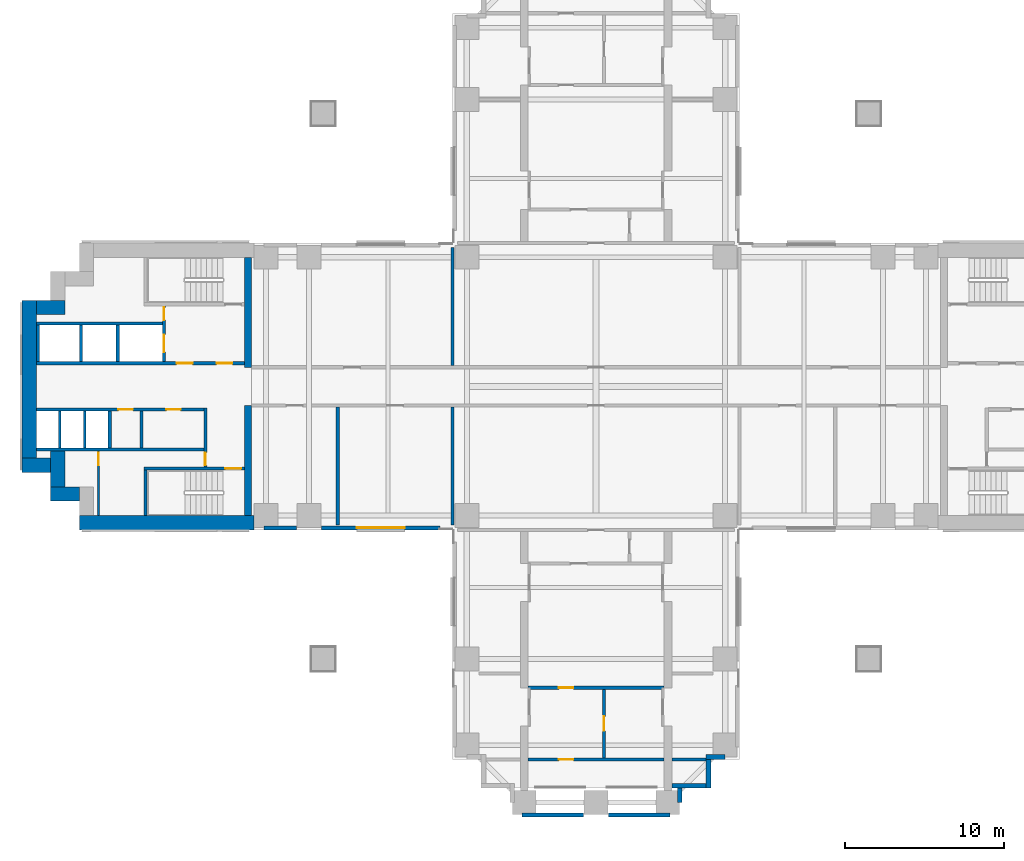
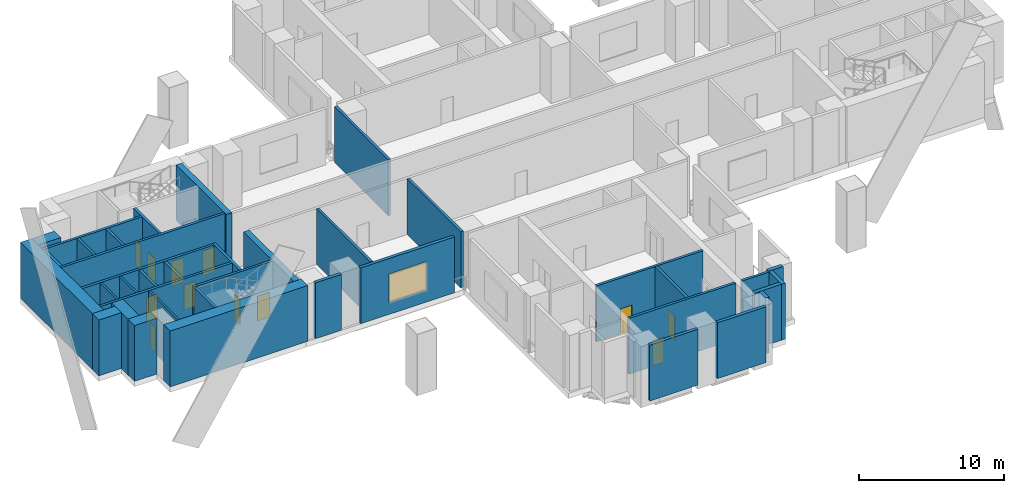
# One storey, part 3 of 10: 39 walls, 12 doors, 1 window, 13 openings.
"""IFC4 building model written with IfcOpenShell, lengths in metres."""

from ifc_helpers import new_model, si_unit, direction, frame, frame_2d, origin, place, context, subcontext, project, spatial, rectangle, extrude, material, layer, layer_set, type_object, element, fill, save


model = new_model("IFC4")

# Units and contexts
model_context = context("Model", 3, precision=1e-05, world=origin(), true_north=direction((0.0, 1.0)))
body_context = subcontext(model_context, "Body", "Model", "MODEL_VIEW")
ifc_project = project(units=[si_unit("LENGTHUNIT", "METRE"), si_unit("AREAUNIT", "SQUARE_METRE"), si_unit("VOLUMEUNIT", "CUBIC_METRE"), si_unit("PLANEANGLEUNIT", "RADIAN"), si_unit("MASSUNIT", "GRAM", prefix="KILO")], contexts=[model_context])

# Site, building, storey
site_placement = place(None, origin())
site = spatial("IfcSite", under=ifc_project, at=site_placement, CompositionType="ELEMENT")
building_placement = place(site_placement, origin())
building = spatial("IfcBuilding", under=site, at=building_placement, Name="Perihelion Cross Residences", CompositionType="ELEMENT")
storey_placement = place(building_placement, frame((0.0, 0.0, 27.0)))
storey = spatial("IfcBuildingStorey", under=building, at=storey_placement, Name="L03", CompositionType="ELEMENT", Elevation=27.0)

# Walls
ifc_material_1 = material(Name="Plasterboard partition")
ifc_layer_1 = layer(ifc_material_1, 0.199951171875)
ifc_layer_set_1 = layer_set([ifc_layer_1], Name="Apartment riser wall 200")
wall_type_1 = type_object("IfcWallType", Name="Apartment riser wall 200", PredefinedType="PARTITIONING", material=ifc_layer_set_1)
for number, where, z_axis, x_axis, name in (
    (1, (-9.0, 1.300048828125, 0.0), (0.0, 0.0, 1.0), (0.0, 1.0, 0.0), "Partition L03 W004"),
    (2, (-9.0, -8.699951171875, 0.0), (0.0, 0.0, 1.0), (0.0, 1.0, 0.0), "Partition L03 W007"),
    (3, (-16.199951171875, -8.699951171875, 0.0), (0.0, 0.0, 1.0), (0.0, 1.0, 0.0), "Partition L03 W010"),
):
    element("IfcWall", number, at=place(storey_placement, frame(where, z_axis=z_axis, x_axis=x_axis)), inside=storey, type_object=wall_type_1, Name=name, PredefinedType="PARTITIONING", context=body_context, shape_type="SweptSolid", body=[
        extrude(rectangle(XDim=7.39990234375, YDim=0.199951171875, at=frame_2d((3.699951171875, 0.0))), origin(), (0.0, 0.0, 1.0), 4.699951171875),
    ])

# Wall, opening, door
wall_1_placement = place(storey_placement, frame((4.25, -18.89990234375, 0.0), z_axis=(0.0, 0.0, 1.0), x_axis=(-1.0, 0.0, 0.0)))
wall_1 = element("IfcWall", 4, at=wall_1_placement, inside=storey, type_object=wall_type_1, Name="Partition L03 W022", PredefinedType="PARTITIONING", context=body_context, shape_type="SweptSolid", body=[
    extrude(rectangle(XDim=8.5, YDim=0.199951171875, at=frame_2d((4.25, 0.0))), origin(), (0.0, 0.0, 1.0), 4.699951171875),
])
opening_1_placement = place(wall_1_placement, frame((5.675048828125, 0.0, 0.0)))
opening_1 = element("IfcOpeningElement", 5, at=opening_1_placement, cuts=wall_1, Name="Opening L03.A18", PredefinedType="OPENING", context=body_context, shape_type="SweptSolid", body=[
    extrude(rectangle(XDim=0.89990234375, YDim=2.10009765625, at=frame_2d((0.449951171875, 1.050048828125))), frame((0.0, 0.10986328125, 0.0), z_axis=(0.0, -1.0, 0.0), x_axis=(1.0, 0.0, 0.0)), (0.0, 0.0, 1.0), 0.219970703125),
])
ifc_material_2 = material(Name="Timber door leaf", Category="wood")
door_type_1 = type_object("IfcDoorType", Name="Interior room door 900 x 2100", OperationType="SINGLE_SWING_LEFT", PredefinedType="DOOR", material=ifc_material_2)
door_1_placement = place(opening_1_placement, origin())
door_1 = element("IfcDoor", 6, at=door_1_placement, inside=storey, type_object=door_type_1, Name="Door L03.A18", OperationType="SINGLE_SWING_LEFT", OverallHeight=2.10009765625, OverallWidth=0.89990234375, PredefinedType="DOOR", context=body_context, shape_type="SweptSolid", body=[
    extrude(rectangle(XDim=0.89990234375, YDim=2.10009765625, at=frame_2d((0.449951171875, 1.050048828125))), frame((0.0, 0.02490234375, 0.0), z_axis=(0.0, -1.0, 0.0), x_axis=(1.0, 0.0, 0.0)), (0.0, 0.0, 1.0), 0.050048828125),
])
fill(opening_1, door_1)

wall_2_placement = place(storey_placement, frame((0.5, -19.0, 0.0), z_axis=(0.0, 0.0, 1.0), x_axis=(0.0, -1.0, 0.0)))
wall_2 = element("IfcWall", 7, at=wall_2_placement, inside=storey, type_object=wall_type_1, Name="Partition L03 W023", PredefinedType="PARTITIONING", context=body_context, shape_type="SweptSolid", body=[
    extrude(rectangle(XDim=4.300048828125, YDim=0.199951171875, at=frame_2d((2.14990234375, 0.0))), origin(), (0.0, 0.0, 1.0), 4.699951171875),
])
opening_2_placement = place(wall_2_placement, frame((1.699951171875, 0.0, 0.0)))
opening_2 = element("IfcOpeningElement", 8, at=opening_2_placement, cuts=wall_2, Name="Opening L03.A19", PredefinedType="OPENING", context=body_context, shape_type="SweptSolid", body=[
    extrude(rectangle(XDim=0.89990234375, YDim=2.10009765625, at=frame_2d((0.449951171875, 1.050048828125))), frame((0.0, 0.10986328125, 0.0), z_axis=(0.0, -1.0, 0.0), x_axis=(1.0, 0.0, 0.0)), (0.0, 0.0, 1.0), 0.219970703125),
])
door_2_placement = place(opening_2_placement, origin())
door_2 = element("IfcDoor", 9, at=door_2_placement, inside=storey, type_object=door_type_1, Name="Door L03.A19", OperationType="SINGLE_SWING_RIGHT", OverallHeight=2.10009765625, OverallWidth=0.89990234375, PredefinedType="DOOR", context=body_context, shape_type="SweptSolid", body=[
    extrude(rectangle(XDim=0.89990234375, YDim=2.10009765625, at=frame_2d((0.449951171875, 1.050048828125))), frame((0.0, 0.02490234375, 0.0), z_axis=(0.0, -1.0, 0.0), x_axis=(1.0, 0.0, 0.0)), (0.0, 0.0, 1.0), 0.050048828125),
])
fill(opening_2, door_2)

wall_3_placement = place(storey_placement, frame((4.25, -23.39990234375, 0.0), z_axis=(0.0, 0.0, 1.0), x_axis=(-1.0, 0.0, 0.0)))
wall_3 = element("IfcWall", 10, at=wall_3_placement, inside=storey, type_object=wall_type_1, Name="Partition L03 W024", PredefinedType="PARTITIONING", context=body_context, shape_type="SweptSolid", body=[
    extrude(rectangle(XDim=8.5, YDim=0.199951171875, at=frame_2d((4.25, 0.0))), origin(), (0.0, 0.0, 1.0), 4.699951171875),
])
opening_3_placement = place(wall_3_placement, frame((5.675048828125, 0.0, 0.0)))
opening_3 = element("IfcOpeningElement", 11, at=opening_3_placement, cuts=wall_3, Name="Opening L03.A20", PredefinedType="OPENING", context=body_context, shape_type="SweptSolid", body=[
    extrude(rectangle(XDim=0.89990234375, YDim=2.10009765625, at=frame_2d((0.449951171875, 1.050048828125))), frame((0.0, 0.10986328125, 0.0), z_axis=(0.0, -1.0, 0.0), x_axis=(1.0, 0.0, 0.0)), (0.0, 0.0, 1.0), 0.219970703125),
])
door_3_placement = place(opening_3_placement, origin())
door_3 = element("IfcDoor", 12, at=door_3_placement, inside=storey, type_object=door_type_1, Name="Door L03.A20", OperationType="SINGLE_SWING_RIGHT", OverallHeight=2.10009765625, OverallWidth=0.89990234375, PredefinedType="DOOR", context=body_context, shape_type="SweptSolid", body=[
    extrude(rectangle(XDim=0.89990234375, YDim=2.10009765625, at=frame_2d((0.449951171875, 1.050048828125))), frame((0.0, 0.02490234375, 0.0), z_axis=(0.0, -1.0, 0.0), x_axis=(1.0, 0.0, 0.0)), (0.0, 0.0, 1.0), 0.050048828125),
])
fill(opening_3, door_3)

# Walls
wall_4_placement = place(storey_placement, frame((6.89990234375, -23.39990234375, 0.0), z_axis=(0.0, 0.0, 1.0), x_axis=(-1.0, 0.0, 0.0)))
element("IfcWall", 13, at=wall_4_placement, inside=storey, type_object=wall_type_1, Name="Partition L03 W026", PredefinedType="PARTITIONING", context=body_context, shape_type="SweptSolid", body=[
    extrude(rectangle(XDim=2.14990234375, YDim=0.199951171875, at=frame_2d((1.074951171875, 0.0))), origin(), (0.0, 0.0, 1.0), 4.699951171875),
])
ifc_material_3 = material(Name="Concrete C30/37, bronze-clad", Category="concrete")
ifc_layer_2 = layer(ifc_material_3, 0.300048828125)
ifc_layer_set_2 = layer_set([ifc_layer_2], Name="Bronze-clad serration wall 300")
wall_type_2 = type_object("IfcWallType", Name="Bronze-clad serration wall 300", PredefinedType="SOLIDWALL", material=ifc_layer_set_2)
wall_5_placement = place(storey_placement, frame((5.25, -26.080078125, 0.0), z_axis=(0.0, 0.0, 1.0), x_axis=(0.0, 1.0, 0.0)))
element("IfcWall", 14, at=wall_5_placement, inside=storey, type_object=wall_type_2, Name="Wall SR1 L03 south corner south-east 1", PredefinedType="SOLIDWALL", context=body_context, shape_type="SweptSolid", body=[
    extrude(rectangle(XDim=0.880126953125, YDim=0.300048828125, at=frame_2d((0.43994140625, 0.0))), origin(), (0.0, 0.0, 1.0), 4.699951171875),
])
wall_6_placement = place(storey_placement, frame((4.75, -25.050048828125, 0.0), z_axis=(0.0, 0.0, 1.0), x_axis=(1.0, 0.0, 0.0)))
element("IfcWall", 15, at=wall_6_placement, inside=storey, type_object=wall_type_2, Name="Wall SR1 L03 south corner south-east 2", PredefinedType="SOLIDWALL", context=body_context, shape_type="SweptSolid", body=[
    extrude(rectangle(XDim=2.14990234375, YDim=0.300048828125, at=frame_2d((1.074951171875, 0.0))), origin(), (0.0, 0.0, 1.0), 4.699951171875),
])
wall_7_placement = place(storey_placement, frame((7.050048828125, -25.199951171875, 0.0), z_axis=(0.0, 0.0, 1.0), x_axis=(0.0, 1.0, 0.0)))
element("IfcWall", 16, at=wall_7_placement, inside=storey, type_object=wall_type_2, Name="Wall SR1 L03 south corner south-east 3", PredefinedType="SOLIDWALL", context=body_context, shape_type="SweptSolid", body=[
    extrude(rectangle(XDim=1.800048828125, YDim=0.300048828125, at=frame_2d((0.89990234375, 0.0))), origin(), (0.0, 0.0, 1.0), 4.699951171875),
])
wall_8_placement = place(storey_placement, frame((6.89990234375, -23.25, 0.0), z_axis=(0.0, 0.0, 1.0), x_axis=(1.0, 0.0, 0.0)))
element("IfcWall", 17, at=wall_8_placement, inside=storey, type_object=wall_type_2, Name="Wall SR1 L03 south corner south-east 4", PredefinedType="SOLIDWALL", context=body_context, shape_type="SweptSolid", body=[
    extrude(rectangle(XDim=1.18017578125, YDim=0.300048828125, at=frame_2d((0.590087890625, 0.0))), origin(), (0.0, 0.0, 1.0), 4.699951171875),
])
ifc_material_4 = material(Name="Concrete C60/75", Category="concrete")
ifc_layer_3 = layer(ifc_material_4, 0.449951171875)
ifc_layer_set_3 = layer_set([ifc_layer_3], Name="Core wall, inner 450")
wall_type_3 = type_object("IfcWallType", Name="Core wall, inner 450", PredefinedType="SHEAR", material=ifc_layer_set_3)
for number, where, z_axis, x_axis, name in (
    (18, (-21.824951171875, -8.10009765625, 0.0), (0.0, 0.0, 1.0), (0.0, 1.0, 0.0), "West core core wall, inner"),
    (19, (-21.824951171875, 1.199951171875, 0.0), (0.0, 0.0, 1.0), (0.0, 1.0, 0.0), "West core core wall, inner"),
):
    element("IfcWall", number, at=place(storey_placement, frame(where, z_axis=z_axis, x_axis=x_axis)), inside=storey, type_object=wall_type_3, Name=name, PredefinedType="SHEAR", context=body_context, shape_type="SweptSolid", body=[
        extrude(rectangle(XDim=6.900146484375, YDim=0.449951171875, at=frame_2d((3.4501953125, 0.0))), origin(), (0.0, 0.0, 1.0), 4.699951171875),
    ])
ifc_material_5 = material(Name="Concrete C60/75", Category="concrete")
ifc_layer_4 = layer(ifc_material_5, 0.89990234375)
ifc_layer_set_4 = layer_set([ifc_layer_4], Name="Core wall, outer 900")
wall_type_4 = type_object("IfcWallType", Name="Core wall, outer 900", PredefinedType="SHEAR", material=ifc_layer_set_4)
wall_9_placement = place(storey_placement, frame((-32.39990234375, -8.550048828125, 0.0), z_axis=(0.0, 0.0, 1.0), x_axis=(1.0, 0.0, 0.0)))
element("IfcWall", 20, at=wall_9_placement, inside=storey, type_object=wall_type_4, Name="West core core wall, outer", PredefinedType="SHEAR", context=body_context, shape_type="SweptSolid", body=[
    extrude(rectangle(XDim=10.949951171875, YDim=0.89990234375, at=frame_2d((5.47509765625, 0.0))), origin(), (0.0, 0.0, 1.0), 4.699951171875),
])
wall_10_placement = place(storey_placement, frame((-34.199951171875, -6.75, 0.0), z_axis=(0.0, 0.0, 1.0), x_axis=(1.0, 0.0, 0.0)))
element("IfcWall", 21, at=wall_10_placement, inside=storey, type_object=wall_type_4, Name="West core core wall, outer", PredefinedType="SHEAR", context=body_context, shape_type="SweptSolid", body=[
    extrude(rectangle(XDim=1.800048828125, YDim=0.89990234375, at=frame_2d((0.89990234375, 0.0))), origin(), (0.0, 0.0, 1.0), 4.699951171875),
])
wall_11_placement = place(storey_placement, frame((-33.75, -6.300048828125, 0.0), z_axis=(0.0, 0.0, 1.0), x_axis=(0.0, 1.0, 0.0)))
element("IfcWall", 22, at=wall_11_placement, inside=storey, type_object=wall_type_4, Name="West core core wall, outer", PredefinedType="SHEAR", context=body_context, shape_type="SweptSolid", body=[
    extrude(rectangle(XDim=2.25, YDim=0.89990234375, at=frame_2d((1.125, 0.0))), origin(), (0.0, 0.0, 1.0), 4.699951171875),
])
wall_12_placement = place(storey_placement, frame((-36.0, -4.949951171875, 0.0), z_axis=(0.0, 0.0, 1.0), x_axis=(1.0, 0.0, 0.0)))
element("IfcWall", 23, at=wall_12_placement, inside=storey, type_object=wall_type_4, Name="West core core wall, outer", PredefinedType="SHEAR", context=body_context, shape_type="SweptSolid", body=[
    extrude(rectangle(XDim=1.800048828125, YDim=0.89990234375, at=frame_2d((0.89990234375, 0.0))), origin(), (0.0, 0.0, 1.0), 4.699951171875),
])
wall_13_placement = place(storey_placement, frame((-35.550048828125, -4.5, 0.0), z_axis=(0.0, 0.0, 1.0), x_axis=(0.0, 1.0, 0.0)))
element("IfcWall", 24, at=wall_13_placement, inside=storey, type_object=wall_type_4, Name="West core core wall, outer", PredefinedType="SHEAR", context=body_context, shape_type="SweptSolid", body=[
    extrude(rectangle(XDim=9.89990234375, YDim=0.89990234375, at=frame_2d((4.949951171875, 0.0))), origin(), (0.0, 0.0, 1.0), 4.699951171875),
])
wall_14_placement = place(storey_placement, frame((-35.10009765625, 4.949951171875, 0.0), z_axis=(0.0, 0.0, 1.0), x_axis=(1.0, 0.0, 0.0)))
element("IfcWall", 25, at=wall_14_placement, inside=storey, type_object=wall_type_4, Name="West core core wall, outer", PredefinedType="SHEAR", context=body_context, shape_type="SweptSolid", body=[
    extrude(rectangle(XDim=1.800048828125, YDim=0.89990234375, at=frame_2d((0.89990234375, 0.0))), origin(), (0.0, 0.0, 1.0), 4.699951171875),
])

# Wall, opening, door
ifc_material_6 = material(Name="Concrete C50/60", Category="concrete")
ifc_layer_5 = layer(ifc_material_6, 0.199951171875)
ifc_layer_set_5 = layer_set([ifc_layer_5], Name="Lobby wall 200")
wall_type_5 = type_object("IfcWallType", Name="Lobby wall 200", PredefinedType="SOLIDWALL", material=ifc_layer_set_5)
wall_15_placement = place(storey_placement, frame((-24.5, -5.050048828125, 0.0), z_axis=(0.0, 0.0, 1.0), x_axis=(0.0, 1.0, 0.0)))
wall_15 = element("IfcWall", 26, at=wall_15_placement, inside=storey, type_object=wall_type_5, Name="West core lobby wall", PredefinedType="SOLIDWALL", context=body_context, shape_type="SweptSolid", body=[
    extrude(rectangle(XDim=3.699951171875, YDim=0.199951171875, at=frame_2d((1.85009765625, 0.0))), origin(), (0.0, 0.0, 1.0), 4.699951171875),
])
opening_4_placement = place(wall_15_placement, frame((0.10009765625, 0.0, 0.0)))
opening_4 = element("IfcOpeningElement", 27, at=opening_4_placement, cuts=wall_15, Name="Opening L03.C15", PredefinedType="OPENING", context=body_context, shape_type="SweptSolid", body=[
    extrude(rectangle(XDim=0.800048828125, YDim=2.10009765625, at=frame_2d((0.39990234375, 1.050048828125))), frame((0.0, 0.10986328125, 0.0), z_axis=(0.0, -1.0, 0.0), x_axis=(1.0, 0.0, 0.0)), (0.0, 0.0, 1.0), 0.219970703125),
])
ifc_material_7 = material(Name="Steel, powder coated", Category="steel")
door_type_2 = type_object("IfcDoorType", Name="Riser door 800", OperationType="SINGLE_SWING_LEFT", PredefinedType="DOOR", material=ifc_material_7)
door_4_placement = place(opening_4_placement, origin())
door_4 = element("IfcDoor", 28, at=door_4_placement, inside=storey, type_object=door_type_2, Name="West core riser door", OperationType="SINGLE_SWING_LEFT", OverallHeight=2.10009765625, OverallWidth=0.800048828125, PredefinedType="DOOR", context=body_context, shape_type="SweptSolid", body=[
    extrude(rectangle(XDim=0.800048828125, YDim=2.10009765625, at=frame_2d((0.39990234375, 1.050048828125))), frame((0.0, 0.02490234375, 0.0), z_axis=(0.0, -1.0, 0.0), x_axis=(1.0, 0.0, 0.0)), (0.0, 0.0, 1.0), 0.050048828125),
])
fill(opening_4, door_4)

# Wall
ifc_material_8 = material(Name="Concrete C30/37, bronze-clad", Category="concrete")
ifc_layer_6 = layer(ifc_material_8, 0.25)
ifc_layer_set_6 = layer_set([ifc_layer_6], Name="Louvre bay wall 250")
wall_type_6 = type_object("IfcWallType", Name="Louvre bay wall 250", PredefinedType="SOLIDWALL", material=ifc_layer_set_6)
wall_16_placement = place(storey_placement, frame((-20.830078125, -8.875, 0.0), z_axis=(0.0, 0.0, 1.0), x_axis=(1.0, 0.0, 0.0)))
element("IfcWall", 29, at=wall_16_placement, inside=storey, type_object=wall_type_6, Name="Wall FW2 L03 west side south bay 1 louvre", PredefinedType="SOLIDWALL", context=body_context, shape_type="SweptSolid", body=[
    extrude(rectangle(XDim=2.06005859375, YDim=0.25, at=frame_2d((1.030029296875, 0.0))), origin(), (0.0, 0.0, 1.0), 4.699951171875),
])

# Wall, opening, window
wall_17_placement = place(storey_placement, frame((-17.22998046875, -8.875, 0.0), z_axis=(0.0, 0.0, 1.0), x_axis=(1.0, 0.0, 0.0)))
wall_17 = element("IfcWall", 30, at=wall_17_placement, inside=storey, type_object=wall_type_6, Name="Wall FW2 L03 west side south bay 2 louvre", PredefinedType="SOLIDWALL", context=body_context, shape_type="SweptSolid", body=[
    extrude(rectangle(XDim=7.4599609375, YDim=0.25, at=frame_2d((3.72998046875, 0.0))), origin(), (0.0, 0.0, 1.0), 4.699951171875),
])
opening_5_placement = place(wall_17_placement, frame((2.22998046875, 0.0, 1.0)))
opening_5 = element("IfcOpeningElement", 31, at=opening_5_placement, cuts=wall_17, Name="Opening L03.W05", PredefinedType="OPENING", context=body_context, shape_type="SweptSolid", body=[
    extrude(rectangle(XDim=3.0, YDim=2.39990234375, at=frame_2d((1.5, 1.199951171875))), frame((0.0, 0.135009765625, 0.0), z_axis=(0.0, -1.0, 0.0), x_axis=(1.0, 0.0, 0.0)), (0.0, 0.0, 1.0), 0.27001953125),
])
ifc_material_9 = material(Name="Bronze anodised aluminium, louvred", Category="aluminium")
window_type = type_object("IfcWindowType", Name="Louvred vent 3000 x 2400", PartitioningType="SINGLE_PANEL", PredefinedType="WINDOW", material=ifc_material_9)
window_placement = place(opening_5_placement, origin())
window = element("IfcWindow", 32, at=window_placement, inside=storey, type_object=window_type, Name="Window L03.W05 west side south bay 2 vent", OverallHeight=2.39990234375, OverallWidth=3.0, PartitioningType="SINGLE_PANEL", PredefinedType="WINDOW", context=body_context, shape_type="SweptSolid", body=[
    extrude(rectangle(XDim=3.0, YDim=2.39990234375, at=frame_2d((1.5, 1.199951171875))), frame((0.0, 0.030029296875, 0.0), z_axis=(0.0, -1.0, 0.0), x_axis=(1.0, 0.0, 0.0)), (0.0, 0.0, 1.0), 0.06005859375),
])
fill(opening_5, window)

# Walls
for number, where, z_axis, x_axis, name in (
    (33, (-4.6298828125, -26.875, 0.0), (0.0, 0.0, 1.0), (1.0, 0.0, 0.0), "Wall FW2 L03 south tip south bay 1 louvre"),
    (34, (0.77001953125, -26.875, 0.0), (0.0, 0.0, 1.0), (1.0, 0.0, 0.0), "Wall FW2 L03 south tip south bay 2 louvre"),
):
    element("IfcWall", number, at=place(storey_placement, frame(where, z_axis=z_axis, x_axis=x_axis)), inside=storey, type_object=wall_type_6, Name=name, PredefinedType="SOLIDWALL", context=body_context, shape_type="SweptSolid", body=[
        extrude(rectangle(XDim=3.85986328125, YDim=0.25, at=frame_2d((1.929931640625, 0.0))), origin(), (0.0, 0.0, 1.0), 4.699951171875),
    ])

# Wall, opening, door
ifc_material_10 = material(Name="Fire-rated board on steel stud", Category="steel")
ifc_layer_7 = layer(ifc_material_10, 0.14990234375)
ifc_layer_set_7 = layer_set([ifc_layer_7], Name="Riser wall 150")
wall_type_7 = type_object("IfcWallType", Name="Riser wall 150", PredefinedType="PARTITIONING", material=ifc_layer_set_7)
wall_18_placement = place(storey_placement, frame((-31.199951171875, -8.10009765625, 0.0), z_axis=(0.0, 0.0, 1.0), x_axis=(0.0, 1.0, 0.0)))
wall_18 = element("IfcWall", 35, at=wall_18_placement, inside=storey, type_object=wall_type_7, Name="West core riser wall", PredefinedType="PARTITIONING", context=body_context, shape_type="SweptSolid", body=[
    extrude(rectangle(XDim=4.050048828125, YDim=0.14990234375, at=frame_2d((2.02490234375, 0.0))), origin(), (0.0, 0.0, 1.0), 4.699951171875),
])
opening_6_placement = place(wall_18_placement, frame((3.14990234375, 0.0, 0.0)))
opening_6 = element("IfcOpeningElement", 36, at=opening_6_placement, cuts=wall_18, Name="Opening L03.C20", PredefinedType="OPENING", context=body_context, shape_type="SweptSolid", body=[
    extrude(rectangle(XDim=0.800048828125, YDim=2.10009765625, at=frame_2d((0.39990234375, 1.050048828125))), frame((0.0, 0.0849609375, 0.0), z_axis=(0.0, -1.0, 0.0), x_axis=(1.0, 0.0, 0.0)), (0.0, 0.0, 1.0), 0.169921875),
])
door_5_placement = place(opening_6_placement, origin())
door_5 = element("IfcDoor", 37, at=door_5_placement, inside=storey, type_object=door_type_2, Name="West core riser door", OperationType="SINGLE_SWING_LEFT", OverallHeight=2.10009765625, OverallWidth=0.800048828125, PredefinedType="DOOR", context=body_context, shape_type="SweptSolid", body=[
    extrude(rectangle(XDim=0.800048828125, YDim=2.10009765625, at=frame_2d((0.39990234375, 1.050048828125))), frame((0.0, 0.02490234375, 0.0), z_axis=(0.0, -1.0, 0.0), x_axis=(1.0, 0.0, 0.0)), (0.0, 0.0, 1.0), 0.050048828125),
])
fill(opening_6, door_5)

# Walls
ifc_material_11 = material(Name="Fire-rated board on steel stud", Category="steel")
ifc_layer_8 = layer(ifc_material_11, 0.199951171875)
ifc_layer_set_8 = layer_set([ifc_layer_8], Name="Riser wall 200")
wall_type_8 = type_object("IfcWallType", Name="Riser wall 200", PredefinedType="PARTITIONING", material=ifc_layer_set_8)
wall_19_placement = place(storey_placement, frame((-28.5, -3.85009765625, 0.0), z_axis=(0.0, 0.0, 1.0), x_axis=(0.0, 1.0, 0.0)))
element("IfcWall", 38, at=wall_19_placement, inside=storey, type_object=wall_type_8, Name="West core riser wall", PredefinedType="PARTITIONING", context=body_context, shape_type="SweptSolid", body=[
    extrude(rectangle(XDim=2.300048828125, YDim=0.199951171875, at=frame_2d((1.14990234375, 0.0))), origin(), (0.0, 0.0, 1.0), 4.699951171875),
])
ifc_material_12 = material(Name="Concrete C50/60", Category="concrete")
ifc_layer_9 = layer(ifc_material_12, 0.14990234375)
ifc_layer_set_9 = layer_set([ifc_layer_9], Name="Shaft wall 150")
wall_type_9 = type_object("IfcWallType", Name="Shaft wall 150", PredefinedType="SOLIDWALL", material=ifc_layer_set_9)
for number, where, z_axis, x_axis, name in (
    (39, (-32.074951171875, -3.85009765625, 0.0), (0.0, 0.0, 1.0), (0.0, 1.0, 0.0), "West core shaft wall"),
    (40, (-33.625, -3.85009765625, 0.0), (0.0, 0.0, 1.0), (0.0, 1.0, 0.0), "West core shaft wall"),
):
    element("IfcWall", number, at=place(storey_placement, frame(where, z_axis=z_axis, x_axis=x_axis)), inside=storey, type_object=wall_type_9, Name=name, PredefinedType="SOLIDWALL", context=body_context, shape_type="SweptSolid", body=[
        extrude(rectangle(XDim=2.300048828125, YDim=0.14990234375, at=frame_2d((1.14990234375, 0.0))), origin(), (0.0, 0.0, 1.0), 4.699951171875),
    ])

# Wall, openings, doors
ifc_material_13 = material(Name="Concrete C50/60", Category="concrete")
ifc_layer_10 = layer(ifc_material_13, 0.199951171875)
ifc_layer_set_10 = layer_set([ifc_layer_10], Name="Shaft wall 200")
wall_type_10 = type_object("IfcWallType", Name="Shaft wall 200", PredefinedType="SOLIDWALL", material=ifc_layer_set_10)
wall_20_placement = place(storey_placement, frame((-35.10009765625, 1.449951171875, 0.0), z_axis=(0.0, 0.0, 1.0), x_axis=(1.0, 0.0, 0.0)))
wall_20 = element("IfcWall", 41, at=wall_20_placement, inside=storey, type_object=wall_type_10, Name="West core shaft wall", PredefinedType="SOLIDWALL", context=body_context, shape_type="SweptSolid", body=[
    extrude(rectangle(XDim=13.050048828125, YDim=0.199951171875, at=frame_2d((6.52490234375, 0.0))), origin(), (0.0, 0.0, 1.0), 4.699951171875),
])
opening_7_placement = place(wall_20_placement, frame((11.300048828125, 0.0, 0.0)))
opening_7 = element("IfcOpeningElement", 42, at=opening_7_placement, cuts=wall_20, Name="Opening L03.C14", PredefinedType="OPENING", context=body_context, shape_type="SweptSolid", body=[
    extrude(rectangle(XDim=1.0, YDim=2.10009765625, at=frame_2d((0.5, 1.050048828125))), frame((0.0, 0.10986328125, 0.0), z_axis=(0.0, -1.0, 0.0), x_axis=(1.0, 0.0, 0.0)), (0.0, 0.0, 1.0), 0.219970703125),
])
opening_8_placement = place(wall_20_placement, frame((8.800048828125, 0.0, 0.0)))
opening_8 = element("IfcOpeningElement", 43, at=opening_8_placement, cuts=wall_20, Name="Opening L03.C16", PredefinedType="OPENING", context=body_context, shape_type="SweptSolid", body=[
    extrude(rectangle(XDim=1.0, YDim=2.10009765625, at=frame_2d((0.5, 1.050048828125))), frame((0.0, 0.10986328125, 0.0), z_axis=(0.0, -1.0, 0.0), x_axis=(1.0, 0.0, 0.0)), (0.0, 0.0, 1.0), 0.219970703125),
])
ifc_material_14 = material(Name="Steel, powder coated", Category="steel")
door_type_3 = type_object("IfcDoorType", Name="Lobby door 1000", OperationType="SINGLE_SWING_LEFT", PredefinedType="DOOR", material=ifc_material_14)
door_6_placement = place(opening_7_placement, origin())
door_6 = element("IfcDoor", 44, at=door_6_placement, inside=storey, type_object=door_type_3, Name="West core firefighting lobby door", OperationType="SINGLE_SWING_LEFT", OverallHeight=2.10009765625, OverallWidth=1.0, PredefinedType="DOOR", context=body_context, shape_type="SweptSolid", body=[
    extrude(rectangle(XDim=1.0, YDim=2.10009765625, at=frame_2d((0.5, 1.050048828125))), frame((0.0, 0.02490234375, 0.0), z_axis=(0.0, -1.0, 0.0), x_axis=(1.0, 0.0, 0.0)), (0.0, 0.0, 1.0), 0.050048828125),
])
fill(opening_7, door_6)
door_7_placement = place(opening_8_placement, origin())
door_7 = element("IfcDoor", 45, at=door_7_placement, inside=storey, type_object=door_type_3, Name="West core firefighting lobby door", OperationType="SINGLE_SWING_LEFT", OverallHeight=2.10009765625, OverallWidth=1.0, PredefinedType="DOOR", context=body_context, shape_type="SweptSolid", body=[
    extrude(rectangle(XDim=1.0, YDim=2.10009765625, at=frame_2d((0.5, 1.050048828125))), frame((0.0, 0.02490234375, 0.0), z_axis=(0.0, -1.0, 0.0), x_axis=(1.0, 0.0, 0.0)), (0.0, 0.0, 1.0), 0.050048828125),
])
fill(opening_8, door_7)

wall_21_placement = place(storey_placement, frame((-35.10009765625, -1.449951171875, 0.0), z_axis=(0.0, 0.0, 1.0), x_axis=(1.0, 0.0, 0.0)))
wall_21 = element("IfcWall", 46, at=wall_21_placement, inside=storey, type_object=wall_type_10, Name="West core shaft wall", PredefinedType="SOLIDWALL", context=body_context, shape_type="SweptSolid", body=[
    extrude(rectangle(XDim=10.5, YDim=0.199951171875, at=frame_2d((5.25, 0.0))), origin(), (0.0, 0.0, 1.0), 4.699951171875),
])
opening_9_placement = place(wall_21_placement, frame((8.14990234375, 0.0, 0.0)))
opening_9 = element("IfcOpeningElement", 47, at=opening_9_placement, cuts=wall_21, Name="Opening L03.C17", PredefinedType="OPENING", context=body_context, shape_type="SweptSolid", body=[
    extrude(rectangle(XDim=0.89990234375, YDim=2.10009765625, at=frame_2d((0.449951171875, 1.050048828125))), frame((0.0, 0.10986328125, 0.0), z_axis=(0.0, -1.0, 0.0), x_axis=(1.0, 0.0, 0.0)), (0.0, 0.0, 1.0), 0.219970703125),
])
opening_10_placement = place(wall_21_placement, frame((5.14990234375, 0.0, 0.0)))
opening_10 = element("IfcOpeningElement", 48, at=opening_10_placement, cuts=wall_21, Name="Opening L03.C19", PredefinedType="OPENING", context=body_context, shape_type="SweptSolid", body=[
    extrude(rectangle(XDim=0.89990234375, YDim=2.10009765625, at=frame_2d((0.449951171875, 1.050048828125))), frame((0.0, 0.10986328125, 0.0), z_axis=(0.0, -1.0, 0.0), x_axis=(1.0, 0.0, 0.0)), (0.0, 0.0, 1.0), 0.219970703125),
])
ifc_material_15 = material(Name="Steel, powder coated", Category="steel")
door_type_4 = type_object("IfcDoorType", Name="Service room door 900", OperationType="SINGLE_SWING_LEFT", PredefinedType="DOOR", material=ifc_material_15)
door_8_placement = place(opening_9_placement, origin())
door_8 = element("IfcDoor", 49, at=door_8_placement, inside=storey, type_object=door_type_4, Name="West core service room door", OperationType="SINGLE_SWING_LEFT", OverallHeight=2.10009765625, OverallWidth=0.89990234375, PredefinedType="DOOR", context=body_context, shape_type="SweptSolid", body=[
    extrude(rectangle(XDim=0.89990234375, YDim=2.10009765625, at=frame_2d((0.449951171875, 1.050048828125))), frame((0.0, 0.02490234375, 0.0), z_axis=(0.0, -1.0, 0.0), x_axis=(1.0, 0.0, 0.0)), (0.0, 0.0, 1.0), 0.050048828125),
])
fill(opening_9, door_8)
door_9_placement = place(opening_10_placement, origin())
door_9 = element("IfcDoor", 50, at=door_9_placement, inside=storey, type_object=door_type_4, Name="West core service room door", OperationType="SINGLE_SWING_LEFT", OverallHeight=2.10009765625, OverallWidth=0.89990234375, PredefinedType="DOOR", context=body_context, shape_type="SweptSolid", body=[
    extrude(rectangle(XDim=0.89990234375, YDim=2.10009765625, at=frame_2d((0.449951171875, 1.050048828125))), frame((0.0, 0.02490234375, 0.0), z_axis=(0.0, -1.0, 0.0), x_axis=(1.0, 0.0, 0.0)), (0.0, 0.0, 1.0), 0.050048828125),
])
fill(opening_10, door_9)

# Walls
wall_22_placement = place(storey_placement, frame((-35.10009765625, 3.949951171875, 0.0), z_axis=(0.0, 0.0, 1.0), x_axis=(1.0, 0.0, 0.0)))
element("IfcWall", 51, at=wall_22_placement, inside=storey, type_object=wall_type_10, Name="West core shaft wall", PredefinedType="SOLIDWALL", context=body_context, shape_type="SweptSolid", body=[
    extrude(rectangle(XDim=7.900146484375, YDim=0.199951171875, at=frame_2d((3.9501953125, 0.0))), origin(), (0.0, 0.0, 1.0), 4.699951171875),
])
wall_23_placement = place(storey_placement, frame((-35.10009765625, -3.949951171875, 0.0), z_axis=(0.0, 0.0, 1.0), x_axis=(1.0, 0.0, 0.0)))
element("IfcWall", 52, at=wall_23_placement, inside=storey, type_object=wall_type_10, Name="West core shaft wall", PredefinedType="SOLIDWALL", context=body_context, shape_type="SweptSolid", body=[
    extrude(rectangle(XDim=10.5, YDim=0.199951171875, at=frame_2d((5.25, 0.0))), origin(), (0.0, 0.0, 1.0), 4.699951171875),
])

# Wall, openings, doors
wall_24_placement = place(storey_placement, frame((-27.10009765625, 1.550048828125, 0.0), z_axis=(0.0, 0.0, 1.0), x_axis=(0.0, 1.0, 0.0)))
wall_24 = element("IfcWall", 53, at=wall_24_placement, inside=storey, type_object=wall_type_10, Name="West core shaft wall", PredefinedType="SOLIDWALL", context=body_context, shape_type="SweptSolid", body=[
    extrude(rectangle(XDim=3.5, YDim=0.199951171875, at=frame_2d((1.75, 0.0))), origin(), (0.0, 0.0, 1.0), 4.699951171875),
])
opening_11_placement = place(wall_24_placement, frame((0.60009765625, 0.0, 0.0)))
opening_11 = element("IfcOpeningElement", 54, at=opening_11_placement, cuts=wall_24, Name="Opening L03.C11", PredefinedType="OPENING", context=body_context, shape_type="SweptSolid", body=[
    extrude(rectangle(XDim=1.10009765625, YDim=2.10009765625, at=frame_2d((0.550048828125, 1.050048828125))), frame((0.0, 0.10986328125, 0.0), z_axis=(0.0, -1.0, 0.0), x_axis=(1.0, 0.0, 0.0)), (0.0, 0.0, 1.0), 0.219970703125),
])
opening_12_placement = place(wall_24_placement, frame((2.60009765625, 0.0, 0.0)))
opening_12 = element("IfcOpeningElement", 55, at=opening_12_placement, cuts=wall_24, Name="Opening L03.C18", PredefinedType="OPENING", context=body_context, shape_type="SweptSolid", body=[
    extrude(rectangle(XDim=0.800048828125, YDim=2.10009765625, at=frame_2d((0.39990234375, 1.050048828125))), frame((0.0, 0.10986328125, 0.0), z_axis=(0.0, -1.0, 0.0), x_axis=(1.0, 0.0, 0.0)), (0.0, 0.0, 1.0), 0.219970703125),
])
ifc_material_16 = material(Name="Stainless steel", Category="steel")
door_type_5 = type_object("IfcDoorType", Name="Landing door, firefighting lift 1100", OperationType="DOUBLE_DOOR_SLIDING", PredefinedType="DOOR", material=ifc_material_16)
door_10_placement = place(opening_11_placement, origin())
door_10 = element("IfcDoor", 56, at=door_10_placement, inside=storey, type_object=door_type_5, Name="Landing door, West core firefighting and service lift", OperationType="DOUBLE_DOOR_SLIDING", OverallHeight=2.10009765625, OverallWidth=1.10009765625, PredefinedType="DOOR", context=body_context, shape_type="SweptSolid", body=[
    extrude(rectangle(XDim=1.10009765625, YDim=2.10009765625, at=frame_2d((0.550048828125, 1.050048828125))), frame((0.0, 0.02490234375, 0.0), z_axis=(0.0, -1.0, 0.0), x_axis=(1.0, 0.0, 0.0)), (0.0, 0.0, 1.0), 0.050048828125),
])
fill(opening_11, door_10)
door_11_placement = place(opening_12_placement, origin())
door_11 = element("IfcDoor", 57, at=door_11_placement, inside=storey, type_object=door_type_2, Name="West core riser door", OperationType="SINGLE_SWING_LEFT", OverallHeight=2.10009765625, OverallWidth=0.800048828125, PredefinedType="DOOR", context=body_context, shape_type="SweptSolid", body=[
    extrude(rectangle(XDim=0.800048828125, YDim=2.10009765625, at=frame_2d((0.39990234375, 1.050048828125))), frame((0.0, 0.02490234375, 0.0), z_axis=(0.0, -1.0, 0.0), x_axis=(1.0, 0.0, 0.0)), (0.0, 0.0, 1.0), 0.050048828125),
])
fill(opening_12, door_11)

# Walls
for number, where, z_axis, x_axis, name in (
    (58, (-30.0, 1.550048828125, 0.0), (0.0, 0.0, 1.0), (0.0, 1.0, 0.0), "West core shaft wall"),
    (59, (-32.300048828125, 1.550048828125, 0.0), (0.0, 0.0, 1.0), (0.0, 1.0, 0.0), "West core shaft wall"),
    (60, (-35.0, 1.550048828125, 0.0), (0.0, 0.0, 1.0), (0.0, 1.0, 0.0), "West core shaft wall"),
    (61, (-30.5, -3.85009765625, 0.0), (0.0, 0.0, 1.0), (0.0, 1.0, 0.0), "West core shaft wall"),
):
    element("IfcWall", number, at=place(storey_placement, frame(where, z_axis=z_axis, x_axis=x_axis)), inside=storey, type_object=wall_type_10, Name=name, PredefinedType="SOLIDWALL", context=body_context, shape_type="SweptSolid", body=[
        extrude(rectangle(XDim=2.300048828125, YDim=0.199951171875, at=frame_2d((1.14990234375, 0.0))), origin(), (0.0, 0.0, 1.0), 4.699951171875),
    ])

# Wall, opening, door
ifc_material_17 = material(Name="Concrete C50/60", Category="concrete")
ifc_layer_11 = layer(ifc_material_17, 0.199951171875)
ifc_layer_set_11 = layer_set([ifc_layer_11], Name="Stair wall 200")
wall_type_11 = type_object("IfcWallType", Name="Stair wall 200", PredefinedType="SOLIDWALL", material=ifc_layer_set_11)
wall_25_placement = place(storey_placement, frame((-28.35009765625, -5.14990234375, 0.0), z_axis=(0.0, 0.0, 1.0), x_axis=(1.0, 0.0, 0.0)))
wall_25 = element("IfcWall", 62, at=wall_25_placement, inside=storey, type_object=wall_type_11, Name="West core stair wall", PredefinedType="SOLIDWALL", context=body_context, shape_type="SweptSolid", body=[
    extrude(rectangle(XDim=6.300048828125, YDim=0.199951171875, at=frame_2d((3.14990234375, 0.0))), origin(), (0.0, 0.0, 1.0), 4.699951171875),
])
opening_13_placement = place(wall_25_placement, frame((5.10009765625, 0.0, 0.0)))
opening_13 = element("IfcOpeningElement", 63, at=opening_13_placement, cuts=wall_25, Name="Opening L03.C12", PredefinedType="OPENING", context=body_context, shape_type="SweptSolid", body=[
    extrude(rectangle(XDim=1.0, YDim=2.10009765625, at=frame_2d((0.5, 1.050048828125))), frame((0.0, 0.10986328125, 0.0), z_axis=(0.0, -1.0, 0.0), x_axis=(1.0, 0.0, 0.0)), (0.0, 0.0, 1.0), 0.219970703125),
])
ifc_material_18 = material(Name="Steel, powder coated", Category="steel")
door_type_6 = type_object("IfcDoorType", Name="Stair door 1000", OperationType="SINGLE_SWING_LEFT", PredefinedType="DOOR", material=ifc_material_18)
door_12_placement = place(opening_13_placement, origin())
door_12 = element("IfcDoor", 64, at=door_12_placement, inside=storey, type_object=door_type_6, Name="West core stair door", OperationType="SINGLE_SWING_LEFT", OverallHeight=2.10009765625, OverallWidth=1.0, PredefinedType="DOOR", context=body_context, shape_type="SweptSolid", body=[
    extrude(rectangle(XDim=1.0, YDim=2.10009765625, at=frame_2d((0.5, 1.050048828125))), frame((0.0, 0.02490234375, 0.0), z_axis=(0.0, -1.0, 0.0), x_axis=(1.0, 0.0, 0.0)), (0.0, 0.0, 1.0), 0.050048828125),
])
fill(opening_13, door_12)

# Wall
wall_26_placement = place(storey_placement, frame((-28.25, -8.10009765625, 0.0), z_axis=(0.0, 0.0, 1.0), x_axis=(0.0, 1.0, 0.0)))
element("IfcWall", 65, at=wall_26_placement, inside=storey, type_object=wall_type_11, Name="West core stair wall", PredefinedType="SOLIDWALL", context=body_context, shape_type="SweptSolid", body=[
    extrude(rectangle(XDim=2.85009765625, YDim=0.199951171875, at=frame_2d((1.425048828125, 0.0))), origin(), (0.0, 0.0, 1.0), 4.699951171875),
])

save(model, "model.ifc")
